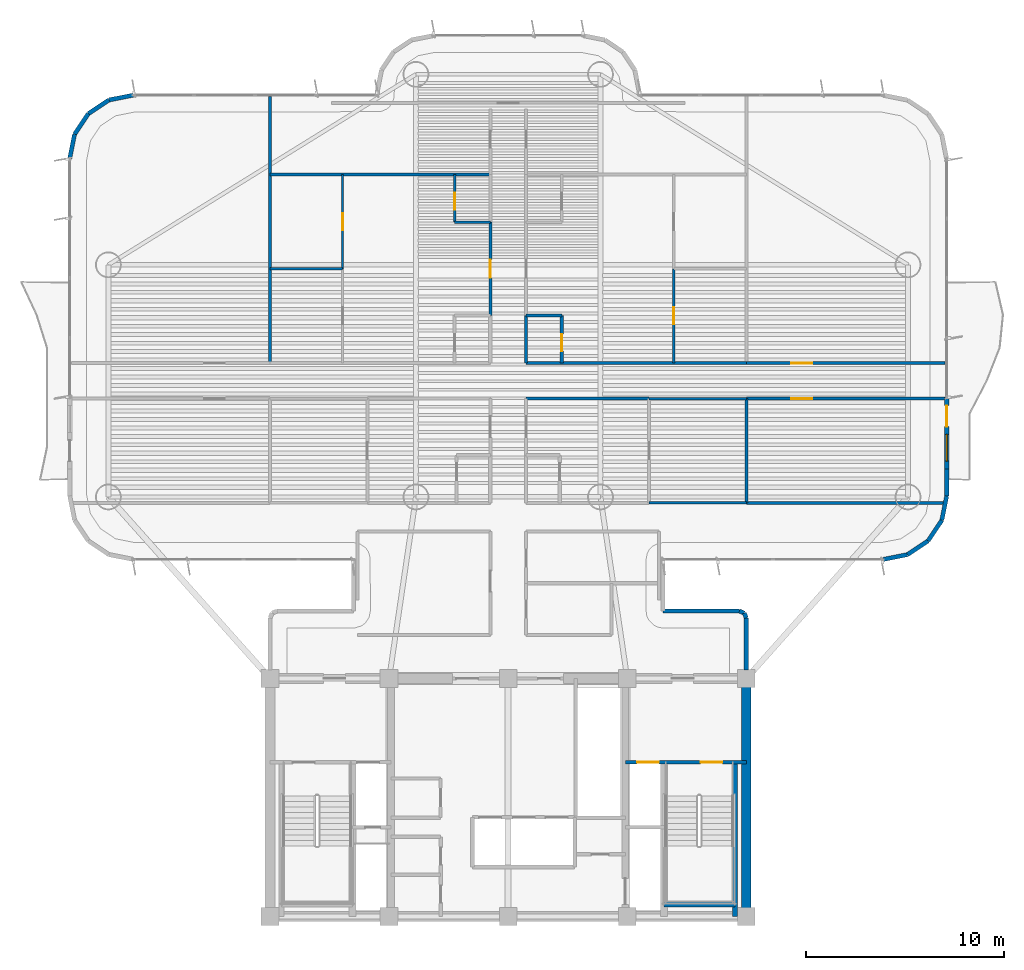
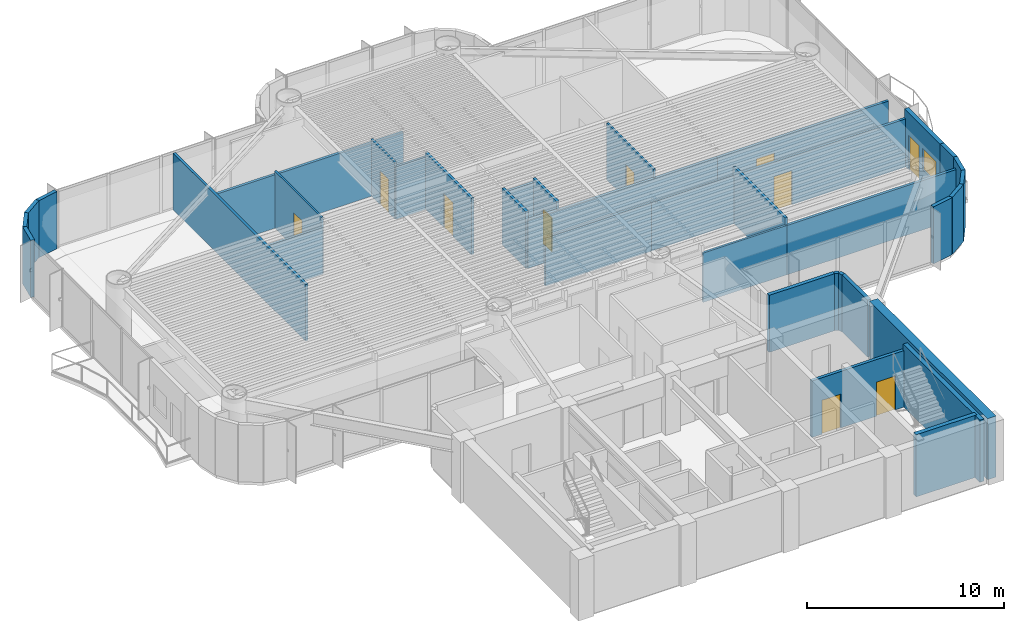
# One storey, part 11 of 17: 37 walls, 10 doors, 1 window, 11 openings.
"""IFC4 building model written with IfcOpenShell, lengths in metres."""

from ifc_helpers import new_model, si_unit, direction, frame, frame_2d, origin, origin_2d, place, context, subcontext, project, spatial, rectangle, extrude, source, transform, mapped, material, layer, layer_set, type_object, element, fill, save


model = new_model("IFC4")

# Units and contexts
model_context = context("Model", 3, precision=1e-05, world=origin(), true_north=direction((0.0, 1.0)))
body_context = subcontext(model_context, "Body", "Model", "MODEL_VIEW")
ifc_project = project(units=[si_unit("LENGTHUNIT", "METRE"), si_unit("AREAUNIT", "SQUARE_METRE"), si_unit("VOLUMEUNIT", "CUBIC_METRE"), si_unit("PLANEANGLEUNIT", "RADIAN"), si_unit("MASSUNIT", "GRAM", prefix="KILO")], contexts=[model_context])

# Site, building, storey
site_placement = place(None, origin())
site = spatial("IfcSite", under=ifc_project, at=site_placement, CompositionType="ELEMENT")
building_placement = place(site_placement, origin())
building = spatial("IfcBuilding", under=site, at=building_placement, Name="Brelvock Crest Care Tower", CompositionType="ELEMENT")
storey_placement = place(building_placement, frame((0.0, 0.0, 93.60009765625)))
storey = spatial("IfcBuildingStorey", under=building, at=storey_placement, Name="L23", CompositionType="ELEMENT", Elevation=93.60009765625)

# Walls
ifc_material_1 = material(Name="Concrete S80 (80 MPa)", Category="concrete")
ifc_layer_1 = layer(ifc_material_1, 0.5, Name="WL-CS2")
ifc_layer_set_1 = layer_set([ifc_layer_1], Name="Concrete S80 (80 MPa)")
wall_type_1 = type_object("IfcWallType", Name="WL-CS2", PredefinedType="SHEAR", material=ifc_layer_set_1)
wall_1_placement = place(storey_placement, frame((48.0, 18.0, 0.0), z_axis=(0.0, 0.0, 1.0), x_axis=(0.0, -1.0, 0.0)))
element("IfcWall", 1, at=wall_1_placement, inside=storey, type_object=wall_type_1, Name="L23 Core East Shear Wall", PredefinedType="SHEAR", context=body_context, shape_type="SweptSolid", body=[
    extrude(rectangle(XDim=12.0, YDim=0.5, at=frame_2d((6.0, 0.0))), origin(), (0.0, 0.0, 1.0), 3.77978515625),
])
ifc_layer_2 = layer(ifc_material_1, 0.25, Name="WL-CS6")
ifc_layer_set_2 = layer_set([ifc_layer_2], Name="Concrete S80 (80 MPa)")
wall_type_2 = type_object("IfcWallType", Name="WL-CS6", PredefinedType="SHEAR", material=ifc_layer_set_2)
wall_2_placement = place(storey_placement, frame((47.419921875, 6.0, 0.0), z_axis=(0.0, 0.0, 1.0), x_axis=(0.0, 1.0, 0.0)))
element("IfcWall", 2, at=wall_2_placement, inside=storey, type_object=wall_type_2, Name="L23 Core Stair ST-2 East Shear Wall", PredefinedType="SHEAR", context=body_context, shape_type="SweptSolid", body=[
    extrude(rectangle(XDim=7.780029296875, YDim=0.25, at=frame_2d((3.89013671875, 0.0))), origin(), (0.0, 0.0, 1.0), 3.849853515625),
])
wall_3_placement = place(storey_placement, frame((43.85009765625, 6.6201171875, 0.0), z_axis=(0.0, 0.0, 1.0), x_axis=(1.0, 0.0, 0.0)))
element("IfcWall", 3, at=wall_3_placement, inside=storey, type_object=wall_type_2, Name="L23 Core Stair ST-2 South Shear Wall", PredefinedType="SHEAR", context=body_context, shape_type="SweptSolid", body=[
    extrude(rectangle(XDim=3.56982421875, YDim=0.25, at=frame_2d((1.784912109375, 0.0))), origin(), (0.0, 0.0, 1.0), 3.849853515625),
])

# Wall, openings, door, window
ifc_material_2 = material(Name="Precast concrete N40 (40 MPa)", Category="concrete")
ifc_layer_3 = layer(ifc_material_2, 0.239990234375, Name="WL-EX1")
ifc_layer_set_3 = layer_set([ifc_layer_3], Name="Precast concrete N40 (40 MPa)")
wall_type_3 = type_object("IfcWallType", Name="WL-EX1", PredefinedType="SOLIDWALL", material=ifc_layer_set_3)
wall_4_placement = place(storey_placement, frame((58.10009765625, 32.14990234375, 0.0), z_axis=(0.0, 0.0, 1.0), x_axis=(0.0, -1.0, 0.0)))
wall_4 = element("IfcWall", 4, at=wall_4_placement, inside=storey, type_object=wall_type_3, Name="L23 Exterior Spandrel Wall WL-BAL-L23-E", PredefinedType="SOLIDWALL", context=body_context, shape_type="SweptSolid", body=[
    extrude(rectangle(XDim=3.599853515625, YDim=0.239990234375, at=frame_2d((1.7998046875, 0.0))), origin(), (0.0, 0.0, 1.0), 3.52978515625),
])
opening_1_placement = place(wall_4_placement, frame((0.39990234375, 0.0, 0.0)))
opening_1 = element("IfcOpeningElement", 5, at=opening_1_placement, cuts=wall_4, Name="Opening BD-1", PredefinedType="OPENING", context=body_context, shape_type="SweptSolid", body=[
    extrude(rectangle(XDim=1.050048828125, YDim=2.14990234375, at=origin_2d()), frame((0.52490234375, 0.1298828125, 1.074951171875), z_axis=(0.0, -1.0, 0.0), x_axis=(1.0, 0.0, 0.0)), (0.0, 0.0, 1.0), 0.260009765625),
])
opening_2_placement = place(wall_4_placement, frame((1.85009765625, 0.0, 0.85009765625)))
opening_2 = element("IfcOpeningElement", 6, at=opening_2_placement, cuts=wall_4, Name="Opening W-01", PredefinedType="OPENING", context=body_context, shape_type="SweptSolid", body=[
    extrude(rectangle(XDim=1.35009765625, YDim=1.35009765625, at=origin_2d()), frame((0.675048828125, 0.1298828125, 0.675048828125), z_axis=(0.0, -1.0, 0.0), x_axis=(1.0, 0.0, 0.0)), (0.0, 0.0, 1.0), 0.260009765625),
])
ifc_material_3 = material(Name="Dark Glass Double Glazed Low-E", Category="glass")
door_type_1 = type_object("IfcDoorType", Name="DR-BAL1", OperationType="NOTDEFINED", PredefinedType="DOOR", material=ifc_material_3)
shared_shape_1 = source(origin(), body_context, "Body", "SweptSolid", [
    extrude(rectangle(XDim=1.050048828125, YDim=2.14990234375, at=origin_2d()), frame((0.52490234375, 0.02490234375, 1.074951171875), z_axis=(0.0, -1.0, 0.0), x_axis=(1.0, 0.0, 0.0)), (0.0, 0.0, 1.0), 0.050048828125),
])
door_1_placement = place(opening_1_placement, origin())
door_1 = element("IfcDoor", 7, at=door_1_placement, inside=storey, type_object=door_type_1, Name="L23 E Wave Balcony Glazed Door", OperationType="SINGLE_SWING_RIGHT", OverallHeight=2.14990234375, OverallWidth=1.050048828125, PredefinedType="DOOR", context=body_context, shape_type="MappedRepresentation", body=[
    mapped(shared_shape_1, transform((0.0, 0.0, 0.0), x_axis=(1.0, 0.0, 0.0), y_axis=(0.0, 1.0, 0.0), z_axis=(0.0, 0.0, 1.0), scale=1.0)),
])
fill(opening_1, door_1)
window_type = type_object("IfcWindowType", Name="WN-EX1", PartitioningType="SINGLE_PANEL", PredefinedType="WINDOW", material=ifc_material_3)
shared_shape_2 = source(origin(), body_context, "Body", "SweptSolid", [
    extrude(rectangle(XDim=1.35009765625, YDim=1.35009765625, at=origin_2d()), frame((0.675048828125, 0.030029296875, 0.675048828125), z_axis=(0.0, -1.0, 0.0), x_axis=(1.0, 0.0, 0.0)), (0.0, 0.0, 1.0), 0.06005859375),
])
window_placement = place(opening_2_placement, origin())
window = element("IfcWindow", 8, at=window_placement, inside=storey, type_object=window_type, Name="L23 E Suite Casement Window", OverallHeight=1.35009765625, OverallWidth=1.35009765625, PartitioningType="SINGLE_PANEL", PredefinedType="WINDOW", context=body_context, shape_type="MappedRepresentation", body=[
    mapped(shared_shape_2, transform((0.0, 0.0, 0.0), x_axis=(1.0, 0.0, 0.0), y_axis=(0.0, 1.0, 0.0), z_axis=(0.0, 0.0, 1.0), scale=1.0)),
])
fill(opening_2, window)

# Walls
ifc_layer_4 = layer(ifc_material_2, 0.215087890625, Name="WL-EX2")
ifc_layer_set_4 = layer_set([ifc_layer_4], Name="Precast concrete N40 (40 MPa)")
wall_type_4 = type_object("IfcWallType", Name="WL-EX2", PredefinedType="SOLIDWALL", material=ifc_layer_set_4)
wall_5_placement = place(storey_placement, frame((47.8974609375, 21.297607421875, 0.0), z_axis=(0.0, 0.0, 1.0), x_axis=(0.382673670509, -0.923883575944, 0.0)))
element("IfcWall", 9, at=wall_5_placement, inside=storey, type_object=wall_type_4, Name="L23 Rounded Corner Wall 00", PredefinedType="SOLIDWALL", context=body_context, shape_type="SweptSolid", body=[
    extrude(rectangle(XDim=0.26806640625, YDim=0.215087890625, at=frame_2d((0.134033203125, 0.0))), origin(), (0.0, 0.0, 1.0), 3.52978515625),
])
wall_6_placement = place(storey_placement, frame((48.0, 21.050048828125, 0.0), z_axis=(0.0, 0.0, 1.0), x_axis=(0.0, -1.0, 0.0)))
element("IfcWall", 10, at=wall_6_placement, inside=storey, type_object=wall_type_4, Name="L23 Rounded Corner Wall 01", PredefinedType="SOLIDWALL", context=body_context, shape_type="SweptSolid", body=[
    extrude(rectangle(XDim=2.6201171875, YDim=0.215087890625, at=frame_2d((1.31005859375, 0.0))), origin(), (0.0, 0.0, 1.0), 3.52978515625),
])
for number, where, z_axis, x_axis, name in (
    (11, (13.89990234375, 44.199951171875, 0.0), (0.0, 0.0, 1.0), (0.195138390419, 0.980775717779, 0.0), "L23 Rounded Corner Wall 18"),
    (12, (14.1435546875, 45.424560546875, 0.0), (0.0, 0.0, 1.0), (0.555692485475, 0.831387912822, 0.0), "L23 Rounded Corner Wall 19"),
    (13, (14.83740234375, 46.462646484375, 0.0), (0.0, 0.0, 1.0), (0.831387912822, 0.555692485475, 0.0), "L23 Rounded Corner Wall 20"),
    (14, (15.87548828125, 47.156494140625, 0.0), (0.0, 0.0, 1.0), (0.980813122964, 0.194950295773, 0.0), "L23 Rounded Corner Wall 21"),
):
    element("IfcWall", number, at=place(storey_placement, frame(where, z_axis=z_axis, x_axis=x_axis)), inside=storey, type_object=wall_type_4, Name=name, PredefinedType="SOLIDWALL", context=body_context, shape_type="SweptSolid", body=[
        extrude(rectangle(XDim=1.24853515625, YDim=0.215087890625, at=frame_2d((0.624267578125, 0.0))), origin(), (0.0, 0.0, 1.0), 3.52978515625),
    ])
wall_7_placement = place(storey_placement, frame((58.10009765625, 28.550048828125, 0.0), z_axis=(0.0, 0.0, 1.0), x_axis=(0.0, -1.0, 0.0)))
element("IfcWall", 15, at=wall_7_placement, inside=storey, type_object=wall_type_4, Name="L23 Exterior Spandrel Pier E39B", PredefinedType="SOLIDWALL", context=body_context, shape_type="SweptSolid", body=[
    extrude(rectangle(XDim=1.35009765625, YDim=0.215087890625, at=frame_2d((0.675048828125, 0.0))), origin(), (0.0, 0.0, 1.0), 3.52978515625),
])
for number, where, z_axis, x_axis, name in (
    (16, (58.10009765625, 27.199951171875, 0.0), (0.0, 0.0, 1.0), (-0.195138390419, -0.980775717779, 0.0), "L23 Rounded Corner Wall 40"),
    (17, (57.8564453125, 25.975341796875, 0.0), (0.0, 0.0, 1.0), (-0.555692485475, -0.831387912822, 0.0), "L23 Rounded Corner Wall 41"),
    (18, (57.16259765625, 24.937255859375, 0.0), (0.0, 0.0, 1.0), (-0.831478245117, -0.555557312883, 0.0), "L23 Rounded Corner Wall 42"),
    (19, (56.12451171875, 24.24365234375, 0.0), (0.0, 0.0, 1.0), (-0.980775717779, -0.195138390419, 0.0), "L23 Rounded Corner Wall 43"),
):
    element("IfcWall", number, at=place(storey_placement, frame(where, z_axis=z_axis, x_axis=x_axis)), inside=storey, type_object=wall_type_4, Name=name, PredefinedType="SOLIDWALL", context=body_context, shape_type="SweptSolid", body=[
        extrude(rectangle(XDim=1.24853515625, YDim=0.215087890625, at=frame_2d((0.624267578125, 0.0))), origin(), (0.0, 0.0, 1.0), 3.52978515625),
    ])
wall_8_placement = place(storey_placement, frame((43.800048828125, 21.39990234375, 0.0), z_axis=(0.0, 0.0, 1.0), x_axis=(1.0, 0.0, 0.0)))
element("IfcWall", 20, at=wall_8_placement, inside=storey, type_object=wall_type_4, Name="L23 Rounded Corner Wall 46", PredefinedType="SOLIDWALL", context=body_context, shape_type="SweptSolid", body=[
    extrude(rectangle(XDim=3.849853515625, YDim=0.215087890625, at=frame_2d((1.9248046875, 0.0))), origin(), (0.0, 0.0, 1.0), 3.52978515625),
])
wall_9_placement = place(storey_placement, frame((47.64990234375, 21.39990234375, 0.0), z_axis=(0.0, 0.0, 1.0), x_axis=(0.924205486139, -0.381895560841, 0.0)))
element("IfcWall", 21, at=wall_9_placement, inside=storey, type_object=wall_type_4, Name="L23 Rounded Corner Wall 47", PredefinedType="SOLIDWALL", context=body_context, shape_type="SweptSolid", body=[
    extrude(rectangle(XDim=0.267822265625, YDim=0.215087890625, at=frame_2d((0.1337890625, 0.0))), origin(), (0.0, 0.0, 1.0), 3.52978515625),
])
ifc_material_4 = material(Name="Masonry Blockwork Acoustic Partition", Category="masonry")
ifc_layer_5 = layer(ifc_material_4, 0.14990234375, Name="WL-INT1")
ifc_layer_set_5 = layer_set([ifc_layer_5], Name="Masonry Blockwork Acoustic Partition")
wall_type_5 = type_object("IfcWallType", Name="WL-INT1", PredefinedType="PARTITIONING", material=ifc_layer_set_5)
wall_10_placement = place(storey_placement, frame((48.0, 26.85009765625, 0.0), z_axis=(0.0, 0.0, 1.0), x_axis=(1.0, 0.0, 0.0)))
element("IfcWall", 22, at=wall_10_placement, inside=storey, type_object=wall_type_5, Name="L23 Interior Wall WL-BX-L23-ISEO-S", PredefinedType="PARTITIONING", context=body_context, shape_type="SweptSolid", body=[
    extrude(rectangle(XDim=9.94873046875, YDim=0.14990234375, at=frame_2d((4.974365234375, 0.0))), origin(), (0.0, 0.0, 1.0), 3.054931640625),
])
wall_11_placement = place(storey_placement, frame((36.89990234375, 32.10009765625, 0.0), z_axis=(0.0, 0.0, 1.0), x_axis=(1.0, 0.0, 0.0)))
element("IfcWall", 23, at=wall_11_placement, inside=storey, type_object=wall_type_5, Name="L23 Interior Wall WL-BX-L23-CS-ISEI-N", PredefinedType="PARTITIONING", context=body_context, shape_type="SweptSolid", body=[
    extrude(rectangle(XDim=6.2001953125, YDim=0.14990234375, at=frame_2d((3.10009765625, 0.0))), origin(), (0.0, 0.0, 1.0), 2.98193359375),
])

# Wall, opening, door
wall_12_placement = place(storey_placement, frame((48.0, 32.10009765625, 0.0), z_axis=(0.0, 0.0, 1.0), x_axis=(1.0, 0.0, 0.0)))
wall_12 = element("IfcWall", 24, at=wall_12_placement, inside=storey, type_object=wall_type_5, Name="L23 Interior Wall WL-RM-L23-ISEO", PredefinedType="PARTITIONING", context=body_context, shape_type="SweptSolid", body=[
    extrude(rectangle(XDim=10.02001953125, YDim=0.14990234375, at=frame_2d((5.010009765625, 0.0))), origin(), (0.0, 0.0, 1.0), 2.98193359375),
])
opening_3_placement = place(wall_12_placement, frame((2.27490234375, 0.0, 0.0)))
opening_3 = element("IfcOpeningElement", 25, at=opening_3_placement, cuts=wall_12, Name="Opening CLD-1", PredefinedType="OPENING", context=body_context, shape_type="SweptSolid", body=[
    extrude(rectangle(XDim=1.050048828125, YDim=2.10009765625, at=origin_2d()), frame((0.52490234375, 0.0849609375, 1.050048828125), z_axis=(0.0, -1.0, 0.0), x_axis=(1.0, 0.0, 0.0)), (0.0, 0.0, 1.0), 0.169921875),
])
ifc_material_5 = material(Name="Engineered Hardwood Timber", Category="wood")
door_type_2 = type_object("IfcDoorType", Name="DR-CLN1", OperationType="NOTDEFINED", PredefinedType="DOOR", material=ifc_material_5)
shared_shape_3 = source(origin(), body_context, "Body", "SweptSolid", [
    extrude(rectangle(XDim=1.050048828125, YDim=2.10009765625, at=origin_2d()), frame((0.52490234375, 0.02490234375, 1.050048828125), z_axis=(0.0, -1.0, 0.0), x_axis=(1.0, 0.0, 0.0)), (0.0, 0.0, 1.0), 0.050048828125),
])
door_2_placement = place(opening_3_placement, origin())
door_2 = element("IfcDoor", 26, at=door_2_placement, inside=storey, type_object=door_type_2, Name="L23 Resident Harbour Study Door ISEO", OperationType="SINGLE_SWING_LEFT", OverallHeight=2.10009765625, OverallWidth=1.050048828125, PredefinedType="DOOR", context=body_context, shape_type="MappedRepresentation", body=[
    mapped(shared_shape_3, transform((0.0, 0.0, 0.0), x_axis=(1.0, 0.0, 0.0), y_axis=(0.0, 1.0, 0.0), z_axis=(0.0, 0.0, 1.0), scale=1.0)),
])
fill(opening_3, door_2)

# Wall
wall_13_placement = place(storey_placement, frame((36.89990234375, 33.89990234375, 0.0), z_axis=(0.0, 0.0, 1.0), x_axis=(1.0, 0.0, 0.0)))
element("IfcWall", 27, at=wall_13_placement, inside=storey, type_object=wall_type_5, Name="L23 Interior Wall WL-BX-L23-FL-INEI-S", PredefinedType="PARTITIONING", context=body_context, shape_type="SweptSolid", body=[
    extrude(rectangle(XDim=11.10009765625, YDim=0.14990234375, at=frame_2d((5.550048828125, 0.0))), origin(), (0.0, 0.0, 1.0), 2.98193359375),
])

# Wall, opening, door
wall_14_placement = place(storey_placement, frame((48.0, 33.89990234375, 0.0), z_axis=(0.0, 0.0, 1.0), x_axis=(1.0, 0.0, 0.0)))
wall_14 = element("IfcWall", 28, at=wall_14_placement, inside=storey, type_object=wall_type_5, Name="L23 Interior Wall WL-RM-L23-INEO", PredefinedType="PARTITIONING", context=body_context, shape_type="SweptSolid", body=[
    extrude(rectangle(XDim=10.02001953125, YDim=0.14990234375, at=frame_2d((5.010009765625, 0.0))), origin(), (0.0, 0.0, 1.0), 2.98193359375),
])
opening_4_placement = place(wall_14_placement, frame((2.27490234375, 0.0, 0.0)))
opening_4 = element("IfcOpeningElement", 29, at=opening_4_placement, cuts=wall_14, Name="Opening CLD-1", PredefinedType="OPENING", context=body_context, shape_type="SweptSolid", body=[
    extrude(rectangle(XDim=1.050048828125, YDim=2.10009765625, at=origin_2d()), frame((0.52490234375, 0.0849609375, 1.050048828125), z_axis=(0.0, -1.0, 0.0), x_axis=(1.0, 0.0, 0.0)), (0.0, 0.0, 1.0), 0.169921875),
])
door_3_placement = place(opening_4_placement, origin())
door_3 = element("IfcDoor", 30, at=door_3_placement, inside=storey, type_object=door_type_2, Name="L23 Resident Harbour Study Door INEO", OperationType="SINGLE_SWING_LEFT", OverallHeight=2.10009765625, OverallWidth=1.050048828125, PredefinedType="DOOR", context=body_context, shape_type="MappedRepresentation", body=[
    mapped(shared_shape_3, transform((0.0, 0.0, 0.0), x_axis=(1.0, 0.0, 0.0), y_axis=(0.0, 1.0, 0.0), z_axis=(0.0, 0.0, 1.0), scale=1.0)),
])
fill(opening_4, door_3)

# Walls
wall_15_placement = place(storey_placement, frame((24.0, 43.39990234375, 0.0), z_axis=(0.0, 0.0, 1.0), x_axis=(1.0, 0.0, 0.0)))
element("IfcWall", 31, at=wall_15_placement, inside=storey, type_object=wall_type_5, Name="L23 Interior Wall WL-BX-L23-FL-INWI-N", PredefinedType="PARTITIONING", context=body_context, shape_type="SweptSolid", body=[
    extrude(rectangle(XDim=11.10009765625, YDim=0.14990234375, at=frame_2d((5.550048828125, 0.0))), origin(), (0.0, 0.0, 1.0), 3.307861328125),
])
wall_16_placement = place(storey_placement, frame((24.0, 33.89990234375, 0.0), z_axis=(0.0, 0.0, 1.0), x_axis=(0.0, 1.0, 0.0)))
element("IfcWall", 32, at=wall_16_placement, inside=storey, type_object=wall_type_5, Name="L23 Interior Wall WL-BX-L23-INWO-E", PredefinedType="PARTITIONING", context=body_context, shape_type="SweptSolid", body=[
    extrude(rectangle(XDim=13.4208984375, YDim=0.14990234375, at=frame_2d((6.71044921875, 0.0))), origin(), (0.0, 0.0, 1.0), 3.5),
])

# Wall, opening, door
wall_17_placement = place(storey_placement, frame((35.10009765625, 36.300048828125, 0.0), z_axis=(0.0, 0.0, 1.0), x_axis=(0.0, 1.0, 0.0)))
wall_17 = element("IfcWall", 33, at=wall_17_placement, inside=storey, type_object=wall_type_5, Name="L23 Interior Wall WL-UENT-L23-INWI", PredefinedType="PARTITIONING", context=body_context, shape_type="SweptSolid", body=[
    extrude(rectangle(XDim=4.699951171875, YDim=0.14990234375, at=frame_2d((2.35009765625, 0.0))), origin(), (0.0, 0.0, 1.0), 3.5),
])
opening_5_placement = place(wall_17_placement, frame((1.889892578125, 0.0, 0.0)))
opening_5 = element("IfcOpeningElement", 34, at=opening_5_placement, cuts=wall_17, Name="Opening AD-1", PredefinedType="OPENING", context=body_context, shape_type="SweptSolid", body=[
    extrude(rectangle(XDim=0.919921875, YDim=2.10009765625, at=origin_2d()), frame((0.4599609375, 0.0849609375, 1.050048828125), z_axis=(0.0, -1.0, 0.0), x_axis=(1.0, 0.0, 0.0)), (0.0, 0.0, 1.0), 0.169921875),
])
door_type_3 = type_object("IfcDoorType", Name="DR-APT1", OperationType="NOTDEFINED", PredefinedType="DOOR", material=ifc_material_5)
shared_shape_4 = source(origin(), body_context, "Body", "SweptSolid", [
    extrude(rectangle(XDim=0.919921875, YDim=2.10009765625, at=origin_2d()), frame((0.4599609375, 0.02490234375, 1.050048828125), z_axis=(0.0, -1.0, 0.0), x_axis=(1.0, 0.0, 0.0)), (0.0, 0.0, 1.0), 0.050048828125),
])
door_4_placement = place(opening_5_placement, origin())
door_4 = element("IfcDoor", 35, at=door_4_placement, inside=storey, type_object=door_type_3, Name="L23 Apartment Entrance INWI", OperationType="SINGLE_SWING_LEFT", OverallHeight=2.10009765625, OverallWidth=0.919921875, PredefinedType="DOOR", context=body_context, shape_type="MappedRepresentation", body=[
    mapped(shared_shape_4, transform((0.0, 0.0, 0.0), x_axis=(1.0, 0.0, 0.0), y_axis=(0.0, 1.0, 0.0), z_axis=(0.0, 0.0, 1.0), scale=1.0)),
])
fill(opening_5, door_4)

# Walls
wall_18_placement = place(storey_placement, frame((48.0, 26.85009765625, 0.0), z_axis=(0.0, 0.0, 1.0), x_axis=(0.0, 1.0, 0.0)))
element("IfcWall", 36, at=wall_18_placement, inside=storey, type_object=wall_type_5, Name="L23 Interior Wall WL-BX-L23-ISEIS-E", PredefinedType="PARTITIONING", context=body_context, shape_type="SweptSolid", body=[
    extrude(rectangle(XDim=5.25, YDim=0.14990234375, at=frame_2d((2.625, 0.0))), origin(), (0.0, 0.0, 1.0), 3.5),
])
ifc_material_6 = material(Name="Gypsum Plasterboard Partition", Category="gypsum")
ifc_layer_6 = layer(ifc_material_6, 0.1201171875, Name="WL-INT2")
ifc_layer_set_6 = layer_set([ifc_layer_6], Name="Gypsum Plasterboard Partition")
wall_type_6 = type_object("IfcWallType", Name="WL-INT2", PredefinedType="PARTITIONING", material=ifc_layer_set_6)
wall_19_placement = place(storey_placement, frame((43.10009765625, 26.85009765625, 0.0), z_axis=(0.0, 0.0, 1.0), x_axis=(1.0, 0.0, 0.0)))
element("IfcWall", 37, at=wall_19_placement, inside=storey, type_object=wall_type_6, Name="L23 Interior Wall WL-BX-L23-ISEIS-S", PredefinedType="PARTITIONING", context=body_context, shape_type="SweptSolid", body=[
    extrude(rectangle(XDim=4.89990234375, YDim=0.1201171875, at=frame_2d((2.449951171875, 0.0))), origin(), (0.0, 0.0, 1.0), 3.054931640625),
])
wall_20_placement = place(storey_placement, frame((43.10009765625, 32.10009765625, 0.0), z_axis=(0.0, 0.0, 1.0), x_axis=(1.0, 0.0, 0.0)))
element("IfcWall", 38, at=wall_20_placement, inside=storey, type_object=wall_type_6, Name="L23 Interior Wall WL-BX-L23-ISEIS-N", PredefinedType="PARTITIONING", context=body_context, shape_type="SweptSolid", body=[
    extrude(rectangle(XDim=4.89990234375, YDim=0.1201171875, at=frame_2d((2.449951171875, 0.0))), origin(), (0.0, 0.0, 1.0), 2.98193359375),
])
wall_21_placement = place(storey_placement, frame((24.0, 38.64990234375, 0.0), z_axis=(0.0, 0.0, 1.0), x_axis=(1.0, 0.0, 0.0)))
element("IfcWall", 39, at=wall_21_placement, inside=storey, type_object=wall_type_6, Name="L23 Interior Wall WL-UBSP-L23-INWI", PredefinedType="PARTITIONING", context=body_context, shape_type="SweptSolid", body=[
    extrude(rectangle(XDim=3.64990234375, YDim=0.1201171875, at=frame_2d((1.824951171875, 0.0))), origin(), (0.0, 0.0, 1.0), 2.90283203125),
])
wall_22_placement = place(storey_placement, frame((33.300048828125, 41.0, 0.0), z_axis=(0.0, 0.0, 1.0), x_axis=(1.0, 0.0, 0.0)))
element("IfcWall", 40, at=wall_22_placement, inside=storey, type_object=wall_type_6, Name="L23 Interior Wall WL-UKIT2-L23-INWI", PredefinedType="PARTITIONING", context=body_context, shape_type="SweptSolid", body=[
    extrude(rectangle(XDim=1.800048828125, YDim=0.1201171875, at=frame_2d((0.89990234375, 0.0))), origin(), (0.0, 0.0, 1.0), 3.2587890625),
])

# Wall, opening, door
wall_23_placement = place(storey_placement, frame((27.64990234375, 38.64990234375, 0.0), z_axis=(0.0, 0.0, 1.0), x_axis=(0.0, 1.0, 0.0)))
wall_23 = element("IfcWall", 41, at=wall_23_placement, inside=storey, type_object=wall_type_6, Name="L23 Interior Wall WL-UBD2-L23-INWI", PredefinedType="PARTITIONING", context=body_context, shape_type="SweptSolid", body=[
    extrude(rectangle(XDim=4.75, YDim=0.1201171875, at=frame_2d((2.375, 0.0))), origin(), (0.0, 0.0, 1.0), 3.5),
])
opening_6_placement = place(wall_23_placement, frame((1.945068359375, 0.0, 0.0)))
opening_6 = element("IfcOpeningElement", 42, at=opening_6_placement, cuts=wall_23, Name="Opening ID-1", PredefinedType="OPENING", context=body_context, shape_type="SweptSolid", body=[
    extrude(rectangle(XDim=0.860107421875, YDim=2.10009765625, at=origin_2d()), frame((0.43017578125, 0.070068359375, 1.050048828125), z_axis=(0.0, -1.0, 0.0), x_axis=(1.0, 0.0, 0.0)), (0.0, 0.0, 1.0), 0.14013671875),
])
door_type_4 = type_object("IfcDoorType", Name="DR-INT1", OperationType="NOTDEFINED", PredefinedType="DOOR", material=ifc_material_5)
shared_shape_5 = source(origin(), body_context, "Body", "SweptSolid", [
    extrude(rectangle(XDim=0.860107421875, YDim=2.10009765625, at=origin_2d()), frame((0.43017578125, 0.02490234375, 1.050048828125), z_axis=(0.0, -1.0, 0.0), x_axis=(1.0, 0.0, 0.0)), (0.0, 0.0, 1.0), 0.050048828125),
])
door_5_placement = place(opening_6_placement, origin())
door_5 = element("IfcDoor", 43, at=door_5_placement, inside=storey, type_object=door_type_4, Name="L23 Second Room Door INWI", OperationType="SINGLE_SWING_LEFT", OverallHeight=2.10009765625, OverallWidth=0.860107421875, PredefinedType="DOOR", context=body_context, shape_type="MappedRepresentation", body=[
    mapped(shared_shape_5, transform((0.0, 0.0, 0.0), x_axis=(1.0, 0.0, 0.0), y_axis=(0.0, 1.0, 0.0), z_axis=(0.0, 0.0, 1.0), scale=1.0)),
])
fill(opening_6, door_5)

wall_24_placement = place(storey_placement, frame((33.300048828125, 41.0, 0.0), z_axis=(0.0, 0.0, 1.0), x_axis=(0.0, 1.0, 0.0)))
wall_24 = element("IfcWall", 44, at=wall_24_placement, inside=storey, type_object=wall_type_6, Name="L23 Interior Wall WL-UKIT1-L23-INWI", PredefinedType="PARTITIONING", context=body_context, shape_type="SweptSolid", body=[
    extrude(rectangle(XDim=2.39990234375, YDim=0.1201171875, at=frame_2d((1.199951171875, 0.0))), origin(), (0.0, 0.0, 1.0), 3.5),
])
opening_7_placement = place(wall_24_placement, frame((0.6201171875, 0.0, 0.0)))
opening_7 = element("IfcOpeningElement", 45, at=opening_7_placement, cuts=wall_24, Name="Opening ID-1", PredefinedType="OPENING", context=body_context, shape_type="SweptSolid", body=[
    extrude(rectangle(XDim=0.860107421875, YDim=2.10009765625, at=origin_2d()), frame((0.43017578125, 0.070068359375, 1.050048828125), z_axis=(0.0, -1.0, 0.0), x_axis=(1.0, 0.0, 0.0)), (0.0, 0.0, 1.0), 0.14013671875),
])
door_6_placement = place(opening_7_placement, origin())
door_6 = element("IfcDoor", 46, at=door_6_placement, inside=storey, type_object=door_type_4, Name="L23 Kitchen Door INWI", OperationType="SINGLE_SWING_LEFT", OverallHeight=2.10009765625, OverallWidth=0.860107421875, PredefinedType="DOOR", context=body_context, shape_type="MappedRepresentation", body=[
    mapped(shared_shape_5, transform((0.0, 0.0, 0.0), x_axis=(1.0, 0.0, 0.0), y_axis=(0.0, 1.0, 0.0), z_axis=(0.0, 0.0, 1.0), scale=1.0)),
])
fill(opening_7, door_6)

wall_25_placement = place(storey_placement, frame((44.35009765625, 33.89990234375, 0.0), z_axis=(0.0, 0.0, 1.0), x_axis=(0.0, 1.0, 0.0)))
wall_25 = element("IfcWall", 47, at=wall_25_placement, inside=storey, type_object=wall_type_6, Name="L23 Interior Wall WL-UBD1-L23-INEI", PredefinedType="PARTITIONING", context=body_context, shape_type="SweptSolid", body=[
    extrude(rectangle(XDim=4.75, YDim=0.1201171875, at=frame_2d((2.375, 0.0))), origin(), (0.0, 0.0, 1.0), 3.5),
])
opening_8_placement = place(wall_25_placement, frame((1.945068359375, 0.0, 0.0)))
opening_8 = element("IfcOpeningElement", 48, at=opening_8_placement, cuts=wall_25, Name="Opening ID-1", PredefinedType="OPENING", context=body_context, shape_type="SweptSolid", body=[
    extrude(rectangle(XDim=0.860107421875, YDim=2.10009765625, at=origin_2d()), frame((0.43017578125, 0.070068359375, 1.050048828125), z_axis=(0.0, -1.0, 0.0), x_axis=(1.0, 0.0, 0.0)), (0.0, 0.0, 1.0), 0.14013671875),
])
door_7_placement = place(opening_8_placement, origin())
door_7 = element("IfcDoor", 49, at=door_7_placement, inside=storey, type_object=door_type_4, Name="L23 Primary Bedroom Door INEI", OperationType="SINGLE_SWING_RIGHT", OverallHeight=2.10009765625, OverallWidth=0.860107421875, PredefinedType="DOOR", context=body_context, shape_type="MappedRepresentation", body=[
    mapped(shared_shape_5, transform((0.0, 0.0, 0.0), x_axis=(1.0, 0.0, 0.0), y_axis=(0.0, 1.0, 0.0), z_axis=(0.0, 0.0, 1.0), scale=1.0)),
])
fill(opening_8, door_7)

# Walls
ifc_layer_7 = layer(ifc_material_6, 0.159912109375, Name="WL-PLM1")
ifc_layer_set_7 = layer_set([ifc_layer_7], Name="Gypsum Plasterboard Partition")
wall_type_7 = type_object("IfcWallType", Name="WL-PLM1", PredefinedType="PLUMBINGWALL", material=ifc_layer_set_7)
wall_26_placement = place(storey_placement, frame((36.89990234375, 36.300048828125, 0.0), z_axis=(0.0, 0.0, 1.0), x_axis=(1.0, 0.0, 0.0)))
element("IfcWall", 50, at=wall_26_placement, inside=storey, type_object=wall_type_7, Name="L23 Interior Wall WL-UBTH2-L23-INEI", PredefinedType="PLUMBINGWALL", context=body_context, shape_type="SweptSolid", body=[
    extrude(rectangle(XDim=1.800048828125, YDim=0.159912109375, at=frame_2d((0.89990234375, 0.0))), origin(), (0.0, 0.0, 1.0), 3.2587890625),
])
wall_27_placement = place(storey_placement, frame((36.89990234375, 33.89990234375, 0.0), z_axis=(0.0, 0.0, 1.0), x_axis=(0.0, 1.0, 0.0)))
element("IfcWall", 51, at=wall_27_placement, inside=storey, type_object=wall_type_7, Name="L23 Interior Wall WL-UCB-L23-INEI", PredefinedType="PLUMBINGWALL", context=body_context, shape_type="SweptSolid", body=[
    extrude(rectangle(XDim=2.400146484375, YDim=0.159912109375, at=frame_2d((1.2001953125, 0.0))), origin(), (0.0, 0.0, 1.0), 3.5),
])

# Wall, opening, door
wall_28_placement = place(storey_placement, frame((38.699951171875, 33.89990234375, 0.0), z_axis=(0.0, 0.0, 1.0), x_axis=(0.0, 1.0, 0.0)))
wall_28 = element("IfcWall", 52, at=wall_28_placement, inside=storey, type_object=wall_type_7, Name="L23 Interior Wall WL-UBTH1-L23-INEI", PredefinedType="PLUMBINGWALL", context=body_context, shape_type="SweptSolid", body=[
    extrude(rectangle(XDim=2.400146484375, YDim=0.159912109375, at=frame_2d((1.2001953125, 0.0))), origin(), (0.0, 0.0, 1.0), 3.5),
])
opening_9_placement = place(wall_28_placement, frame((0.60009765625, 0.0, 0.0)))
opening_9 = element("IfcOpeningElement", 53, at=opening_9_placement, cuts=wall_28, Name="Opening WD-1", PredefinedType="OPENING", context=body_context, shape_type="SweptSolid", body=[
    extrude(rectangle(XDim=0.860107421875, YDim=2.10009765625, at=origin_2d()), frame((0.43017578125, 0.08984375, 1.050048828125), z_axis=(0.0, -1.0, 0.0), x_axis=(1.0, 0.0, 0.0)), (0.0, 0.0, 1.0), 0.179931640625),
])
door_type_5 = type_object("IfcDoorType", Name="DR-WC1", OperationType="NOTDEFINED", PredefinedType="DOOR", material=ifc_material_5)
shared_shape_6 = source(origin(), body_context, "Body", "SweptSolid", [
    extrude(rectangle(XDim=0.860107421875, YDim=2.10009765625, at=origin_2d()), frame((0.43017578125, 0.02490234375, 1.050048828125), z_axis=(0.0, -1.0, 0.0), x_axis=(1.0, 0.0, 0.0)), (0.0, 0.0, 1.0), 0.050048828125),
])
door_8_placement = place(opening_9_placement, origin())
door_8 = element("IfcDoor", 54, at=door_8_placement, inside=storey, type_object=door_type_5, Name="L23 Bathroom Door INEI", OperationType="SINGLE_SWING_LEFT", OverallHeight=2.10009765625, OverallWidth=0.860107421875, PredefinedType="DOOR", context=body_context, shape_type="MappedRepresentation", body=[
    mapped(shared_shape_6, transform((0.0, 0.0, 0.0), x_axis=(1.0, 0.0, 0.0), y_axis=(0.0, 1.0, 0.0), z_axis=(0.0, 0.0, 1.0), scale=1.0)),
])
fill(opening_9, door_8)

# Wall, openings, doors
ifc_layer_8 = layer(ifc_material_4, 0.179931640625, Name="WL-SHF1")
ifc_layer_set_8 = layer_set([ifc_layer_8], Name="Masonry Blockwork Acoustic Partition")
wall_type_8 = type_object("IfcWallType", Name="WL-SHF1", PredefinedType="PARTITIONING", material=ifc_layer_set_8)
wall_29_placement = place(storey_placement, frame((41.89990234375, 13.780029296875, 0.0), z_axis=(0.0, 0.0, 1.0), x_axis=(1.0, 0.0, 0.0)))
wall_29 = element("IfcWall", 55, at=wall_29_placement, inside=storey, type_object=wall_type_8, Name="L23 Interior Wall WL-ST2-N-L23", PredefinedType="PARTITIONING", context=body_context, shape_type="SweptSolid", body=[
    extrude(rectangle(XDim=6.10009765625, YDim=0.179931640625, at=frame_2d((3.050048828125, 0.0))), origin(), (0.0, 0.0, 1.0), 3.5),
])
opening_10_placement = place(wall_29_placement, frame((0.60009765625, 0.0, 0.0)))
opening_10 = element("IfcOpeningElement", 56, at=opening_10_placement, cuts=wall_29, Name="Opening LD", PredefinedType="OPENING", context=body_context, shape_type="SweptSolid", body=[
    extrude(rectangle(XDim=1.10009765625, YDim=2.10009765625, at=origin_2d()), frame((0.550048828125, 0.10009765625, 1.050048828125), z_axis=(0.0, -1.0, 0.0), x_axis=(1.0, 0.0, 0.0)), (0.0, 0.0, 1.0), 0.199951171875),
])
opening_11_placement = place(wall_29_placement, frame((3.800048828125, 0.0, 0.0)))
opening_11 = element("IfcOpeningElement", 57, at=opening_11_placement, cuts=wall_29, Name="Opening SD-1", PredefinedType="OPENING", context=body_context, shape_type="SweptSolid", body=[
    extrude(rectangle(XDim=1.10009765625, YDim=2.10009765625, at=origin_2d()), frame((0.550048828125, 0.10009765625, 1.050048828125), z_axis=(0.0, -1.0, 0.0), x_axis=(1.0, 0.0, 0.0)), (0.0, 0.0, 1.0), 0.199951171875),
])
ifc_material_7 = material(Name="Steel Grade 350", Category="steel")
door_type_6 = type_object("IfcDoorType", Name="DR-ST1", OperationType="NOTDEFINED", PredefinedType="DOOR", material=ifc_material_7)
shared_shape_7 = source(origin(), body_context, "Body", "SweptSolid", [
    extrude(rectangle(XDim=1.10009765625, YDim=2.10009765625, at=origin_2d()), frame((0.550048828125, 0.02490234375, 1.050048828125), z_axis=(0.0, -1.0, 0.0), x_axis=(1.0, 0.0, 0.0)), (0.0, 0.0, 1.0), 0.050048828125),
])
door_9_placement = place(opening_11_placement, origin())
door_9 = element("IfcDoor", 58, at=door_9_placement, inside=storey, type_object=door_type_6, Name="L23 Fire Stair ST-2 Door", OperationType="SINGLE_SWING_RIGHT", OverallHeight=2.10009765625, OverallWidth=1.10009765625, PredefinedType="DOOR", context=body_context, shape_type="MappedRepresentation", body=[
    mapped(shared_shape_7, transform((0.0, 0.0, 0.0), x_axis=(1.0, 0.0, 0.0), y_axis=(0.0, 1.0, 0.0), z_axis=(0.0, 0.0, 1.0), scale=1.0)),
])
fill(opening_11, door_9)
door_type_7 = type_object("IfcDoorType", Name="DR-LD1", OperationType="NOTDEFINED", PredefinedType="DOOR", material=ifc_material_7)
shared_shape_8 = source(origin(), body_context, "Body", "SweptSolid", [
    extrude(rectangle(XDim=1.10009765625, YDim=2.10009765625, at=origin_2d()), frame((0.550048828125, 0.02490234375, 1.050048828125), z_axis=(0.0, -1.0, 0.0), x_axis=(1.0, 0.0, 0.0)), (0.0, 0.0, 1.0), 0.050048828125),
])
door_10_placement = place(opening_10_placement, origin())
door_10 = element("IfcDoor", 59, at=door_10_placement, inside=storey, type_object=door_type_7, Name="L23 Firefighting Lift FFL-2 Landing Door", OperationType="SLIDING_TO_RIGHT", OverallHeight=2.10009765625, OverallWidth=1.10009765625, PredefinedType="DOOR", context=body_context, shape_type="MappedRepresentation", body=[
    mapped(shared_shape_8, transform((0.0, 0.0, 0.0), x_axis=(1.0, 0.0, 0.0), y_axis=(0.0, 1.0, 0.0), z_axis=(0.0, 0.0, 1.0), scale=1.0)),
])
fill(opening_10, door_10)

save(model, "model.ifc")
